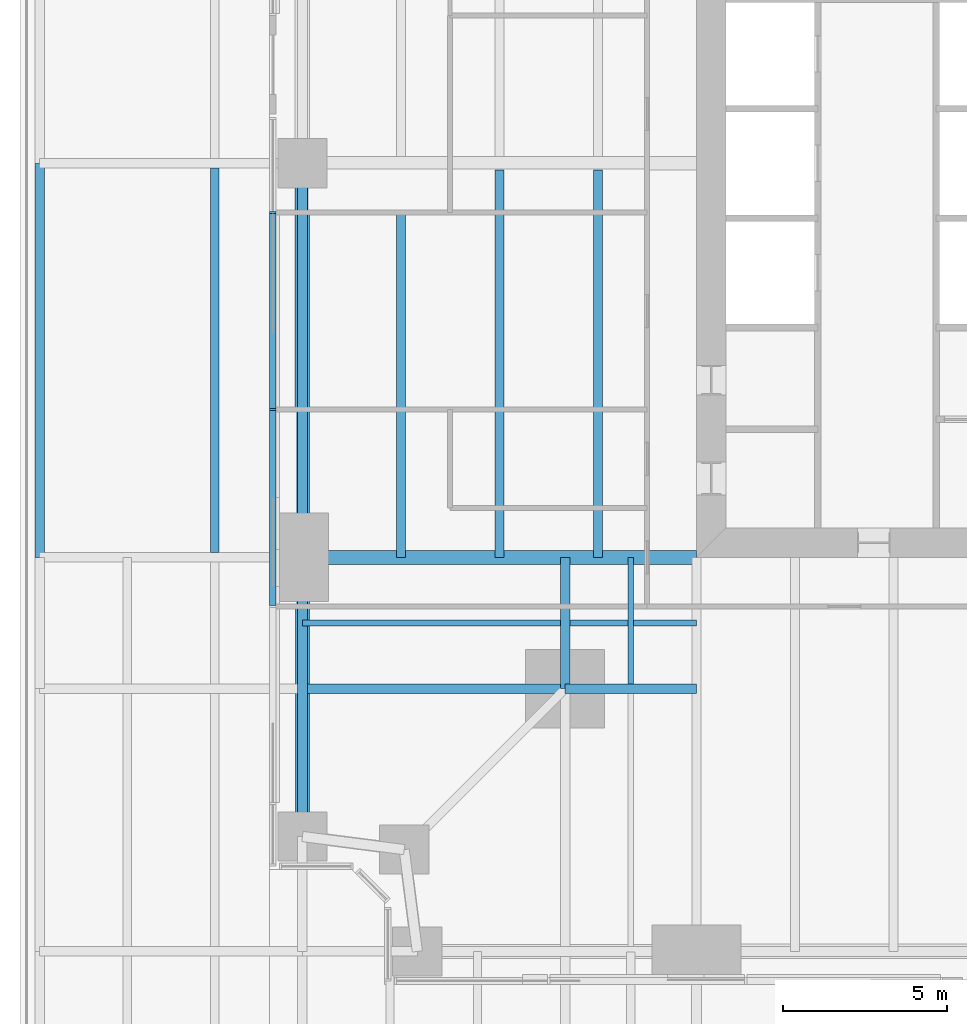
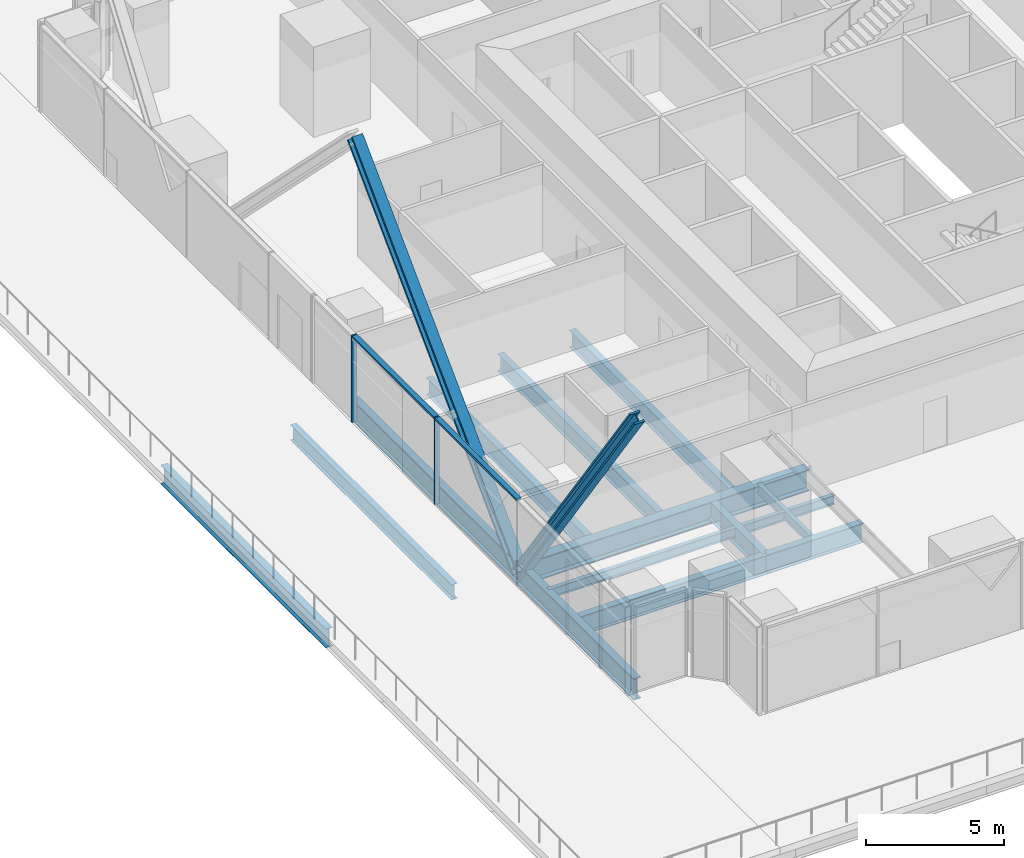
# One storey, part 3 of 21: 15 beams, 6 members, 1 element without a shape of its own.
"""IFC4 building model written with IfcOpenShell, lengths in metres."""

from ifc_helpers import new_model, si_unit, direction, frame, origin, origin_2d, place, context, subcontext, project, spatial, rectangle, i_section, extrude, material, material_profile, profile_set, type_object, element, aggregate, save


model = new_model("IFC4")

# Units and contexts
model_context = context("Model", 3, precision=1e-05, world=origin(), true_north=direction((0.0, 1.0)))
body_context = subcontext(model_context, "Body", "Model", "MODEL_VIEW")
ifc_project = project(units=[si_unit("LENGTHUNIT", "METRE"), si_unit("AREAUNIT", "SQUARE_METRE"), si_unit("VOLUMEUNIT", "CUBIC_METRE"), si_unit("PLANEANGLEUNIT", "RADIAN"), si_unit("MASSUNIT", "GRAM", prefix="KILO")], contexts=[model_context])

# Site, building, storey
site_placement = place(None, origin())
site = spatial("IfcSite", under=ifc_project, at=site_placement, CompositionType="ELEMENT")
building_placement = place(site_placement, origin())
building = spatial("IfcBuilding", under=site, at=building_placement, Name="Fenwick Lantern Interchange", CompositionType="ELEMENT")
storey_placement = place(building_placement, frame((0.0, 0.0, 31.0)))
storey = spatial("IfcBuildingStorey", under=building, at=storey_placement, Name="L06", CompositionType="ELEMENT", Elevation=31.0)

# Beams
ifc_material_1 = material(Name="Steel ASTM A992 Grade 50", Category="steel")
ifc_material_profile_1 = material_profile(ifc_material_1, i_section(OverallWidth=0.309814453125, OverallDepth=0.949951171875, WebThickness=0.0244140625, FlangeThickness=0.0439453125, at=origin_2d()), Name="W36X256")
ifc_profile_set_1 = profile_set([ifc_material_profile_1], Name="Steel ASTM A992 Grade 50")
beam_type_1 = type_object("IfcBeamType", Name="EDGE BEAM W36X256", PredefinedType="SPANDREL", material=ifc_profile_set_1)
beam_1_placement = place(storey_placement, frame((1.0, 25.0, -0.625), z_axis=(0.0, -1.0, 0.0), x_axis=(1.0, 0.0, 0.0)))
element("IfcBeam", 1, at=beam_1_placement, inside=storey, type_object=beam_type_1, Name="L06/FR/W/EB3", PredefinedType="SPANDREL", context=body_context, shape_type="SweptSolid", body=[
    extrude(i_section(OverallWidth=0.309814453125, OverallDepth=0.949951171875, WebThickness=0.0244140625, FlangeThickness=0.0439453125, at=origin_2d()), origin(), (0.0, 0.0, 1.0), 12.0),
])
beam_2_placement = place(storey_placement, frame((1.0, 13.0, -0.625), z_axis=(0.0, -1.0, 0.0), x_axis=(1.0, 0.0, 0.0)))
element("IfcBeam", 2, at=beam_2_placement, inside=storey, type_object=beam_type_1, Name="L06/FR/W/EB4", PredefinedType="SPANDREL", context=body_context, shape_type="SweptSolid", body=[
    extrude(i_section(OverallWidth=0.309814453125, OverallDepth=0.949951171875, WebThickness=0.0244140625, FlangeThickness=0.0439453125, at=origin_2d()), origin(), (0.0, 0.0, 1.0), 8.5),
])

# Members
ifc_material_profile_2 = material_profile(ifc_material_1, i_section(OverallWidth=0.424072265625, OverallDepth=0.47509765625, WebThickness=0.0478515625, FlangeThickness=0.0771484375, at=origin_2d()), Name="W14X426")
ifc_profile_set_2 = profile_set([ifc_material_profile_2], Name="Steel ASTM A992 Grade 50")
member_type_1 = type_object("IfcMemberType", Name="FACADE BRACE W14X426", PredefinedType="BRACE", material=ifc_profile_set_2)
member_1_placement = place(storey_placement, frame((1.0, 13.0, -0.625), z_axis=(0.0, -0.577407021852, 0.816456447776), x_axis=(1.0, 0.0, 0.0)))
element("IfcMember", 3, at=member_1_placement, inside=storey, type_object=member_type_1, Name="L06/FB/W/BE", PredefinedType="BRACE", context=body_context, shape_type="SweptSolid", body=[
    extrude(i_section(OverallWidth=0.424072265625, OverallDepth=0.47509765625, WebThickness=0.0478515625, FlangeThickness=0.0771484375, at=origin_2d()), origin(), (0.0, 0.0, 1.0), 14.720947265625),
])
ifc_material_profile_3 = material_profile(ifc_material_1, i_section(OverallWidth=0.44189453125, OverallDepth=0.53076171875, WebThickness=0.06591796875, FlangeThickness=0.105712890625, at=origin_2d()), Name="W14X605")
ifc_profile_set_3 = profile_set([ifc_material_profile_3], Name="Steel ASTM A992 Grade 50")
member_type_2 = type_object("IfcMemberType", Name="FACADE BRACE W14X605", PredefinedType="BRACE", material=ifc_profile_set_3)
member_2_placement = place(storey_placement, frame((1.0, 13.0, -0.625), z_axis=(0.0, 0.706545945103, 0.707667172799), x_axis=(-1.0, 0.0, 0.0)))
element("IfcMember", 4, at=member_2_placement, inside=storey, type_object=member_type_2, Name="L06/FB/W/B", PredefinedType="BRACE", context=body_context, shape_type="SweptSolid", body=[
    extrude(i_section(OverallWidth=0.44189453125, OverallDepth=0.53076171875, WebThickness=0.06591796875, FlangeThickness=0.105712890625, at=origin_2d()), origin(), (0.0, 0.0, 1.0), 16.984130859375),
])

# Beams
ifc_material_profile_4 = material_profile(ifc_material_1, i_section(OverallWidth=0.2666015625, OverallDepth=0.7568359375, WebThickness=0.013916015625, FlangeThickness=0.019287109375, at=origin_2d()), Name="W30X108")
ifc_profile_set_4 = profile_set([ifc_material_profile_4], Name="Steel ASTM A992 Grade 50")
beam_type_2 = type_object("IfcBeamType", Name="FLOOR BEAM W30X108", PredefinedType="BEAM", material=ifc_profile_set_4)
for number, where, z_axis, x_axis, name in (
    (5, (4.0, 24.79541015625, -0.528564453125), (0.0, -1.0, 0.0), (1.0, 0.0, 0.0), "L06/FR/W/B04"),
    (6, (7.0, 24.79541015625, -0.528564453125), (0.0, -1.0, 0.0), (1.0, 0.0, 0.0), "L06/FR/W/B05"),
    (7, (10.0, 24.79541015625, -0.528564453125), (0.0, -1.0, 0.0), (1.0, 0.0, 0.0), "L06/FR/W/B06"),
):
    element("IfcBeam", number, at=place(storey_placement, frame(where, z_axis=z_axis, x_axis=x_axis)), inside=storey, type_object=beam_type_2, Name=name, PredefinedType="BEAM", context=body_context, shape_type="SweptSolid", body=[
        extrude(i_section(OverallWidth=0.2666015625, OverallDepth=0.7568359375, WebThickness=0.013916015625, FlangeThickness=0.019287109375, at=origin_2d()), origin(), (0.0, 0.0, 1.0), 11.79541015625),
    ])
ifc_material_profile_5 = material_profile(ifc_material_1, i_section(OverallWidth=0.177734375, OverallDepth=0.406494140625, WebThickness=0.0078125, FlangeThickness=0.012939453125, at=origin_2d()), Name="W16X40")
ifc_profile_set_5 = profile_set([ifc_material_profile_5], Name="Steel ASTM A992 Grade 50")
beam_type_3 = type_object("IfcBeamType", Name="INFILL BEAM W16X40", PredefinedType="JOIST", material=ifc_profile_set_5)
beam_3_placement = place(storey_placement, frame((11.0, 9.14599609375, -0.353271484375), z_axis=(0.0, 1.0, 0.0), x_axis=(-1.0, 0.0, 0.0)))
element("IfcBeam", 8, at=beam_3_placement, inside=storey, type_object=beam_type_3, Name="L06/FR/S/J2", PredefinedType="JOIST", context=body_context, shape_type="SweptSolid", body=[
    extrude(i_section(OverallWidth=0.177734375, OverallDepth=0.406494140625, WebThickness=0.0078125, FlangeThickness=0.012939453125, at=origin_2d()), origin(), (0.0, 0.0, 1.0), 3.85400390625),
])
beam_4_placement = place(storey_placement, frame((1.0, 11.0, -0.353271484375), z_axis=(1.0, 0.0, 0.0), x_axis=(0.0, 1.0, 0.0)))
element("IfcBeam", 9, at=beam_4_placement, inside=storey, type_object=beam_type_3, Name="L06/FR/S/J3", PredefinedType="JOIST", context=body_context, shape_type="SweptSolid", body=[
    extrude(i_section(OverallWidth=0.177734375, OverallDepth=0.406494140625, WebThickness=0.0078125, FlangeThickness=0.012939453125, at=origin_2d()), origin(), (0.0, 0.0, 1.0), 7.85400390625),
])
beam_5_placement = place(storey_placement, frame((9.14599609375, 11.0, -0.353271484375), z_axis=(1.0, 0.0, 0.0), x_axis=(0.0, 1.0, 0.0)))
element("IfcBeam", 10, at=beam_5_placement, inside=storey, type_object=beam_type_3, Name="L06/FR/S/J4", PredefinedType="JOIST", context=body_context, shape_type="SweptSolid", body=[
    extrude(i_section(OverallWidth=0.177734375, OverallDepth=0.406494140625, WebThickness=0.0078125, FlangeThickness=0.012939453125, at=origin_2d()), origin(), (0.0, 0.0, 1.0), 1.76513671875),
])
beam_6_placement = place(storey_placement, frame((11.0888671875, 11.0, -0.353271484375), z_axis=(1.0, 0.0, 0.0), x_axis=(0.0, 1.0, 0.0)))
element("IfcBeam", 11, at=beam_6_placement, inside=storey, type_object=beam_type_3, Name="L06/FR/S/J5", PredefinedType="JOIST", context=body_context, shape_type="SweptSolid", body=[
    extrude(i_section(OverallWidth=0.177734375, OverallDepth=0.406494140625, WebThickness=0.0078125, FlangeThickness=0.012939453125, at=origin_2d()), origin(), (0.0, 0.0, 1.0), 1.9111328125),
])
ifc_material_profile_6 = material_profile(ifc_material_1, i_section(OverallWidth=0.2919921875, OverallDepth=0.845703125, WebThickness=0.015380859375, FlangeThickness=0.0244140625, at=origin_2d()), Name="W33X141")
ifc_profile_set_6 = profile_set([ifc_material_profile_6], Name="Steel ASTM A992 Grade 50")
beam_type_4 = type_object("IfcBeamType", Name="MEGA COLUMN BEAM W33X141", PredefinedType="BEAM", material=ifc_profile_set_6)
beam_7_placement = place(storey_placement, frame((9.0, 9.0, -0.572998046875), z_axis=(-1.0, 0.0, 0.0), x_axis=(0.0, -1.0, 0.0)))
element("IfcBeam", 12, at=beam_7_placement, inside=storey, type_object=beam_type_4, Name="L06/FR/S/MB2", PredefinedType="BEAM", context=body_context, shape_type="SweptSolid", body=[
    extrude(i_section(OverallWidth=0.2919921875, OverallDepth=0.845703125, WebThickness=0.015380859375, FlangeThickness=0.0244140625, at=origin_2d()), origin(), (0.0, 0.0, 1.0), 7.844970703125),
])
for number, where, z_axis, x_axis, name in (
    (13, (9.0, 9.0, -0.572998046875), (1.0, 0.0, 0.0), (0.0, 1.0, 0.0), "L06/FR/S/MB3"),
    (14, (9.0, 9.0, -0.572998046875), (0.0, 1.0, 0.0), (-1.0, 0.0, 0.0), "L06/FR/S/MB4"),
):
    element("IfcBeam", number, at=place(storey_placement, frame(where, z_axis=z_axis, x_axis=x_axis)), inside=storey, type_object=beam_type_4, Name=name, PredefinedType="BEAM", context=body_context, shape_type="SweptSolid", body=[
        extrude(i_section(OverallWidth=0.2919921875, OverallDepth=0.845703125, WebThickness=0.015380859375, FlangeThickness=0.0244140625, at=origin_2d()), origin(), (0.0, 0.0, 1.0), 4.0),
    ])
ifc_material_profile_7 = material_profile(ifc_material_1, i_section(OverallWidth=0.424072265625, OverallDepth=0.947509765625, WebThickness=0.02392578125, FlangeThickness=0.042724609375, at=origin_2d()), Name="W36X302")
ifc_profile_set_7 = profile_set([ifc_material_profile_7], Name="Steel ASTM A992 Grade 50")
beam_type_5 = type_object("IfcBeamType", Name="MOMENT-CONNECTED GIRDER W36X302", PredefinedType="BEAM", material=ifc_profile_set_7)
beam_8_placement = place(storey_placement, frame((1.0, 13.0, -0.623779296875), z_axis=(1.0, 0.0, 0.0), x_axis=(0.0, 1.0, 0.0)))
element("IfcBeam", 15, at=beam_8_placement, inside=storey, type_object=beam_type_5, Name="L06/FR/W/R03", PredefinedType="BEAM", context=body_context, shape_type="SweptSolid", body=[
    extrude(i_section(OverallWidth=0.424072265625, OverallDepth=0.947509765625, WebThickness=0.02392578125, FlangeThickness=0.042724609375, at=origin_2d()), origin(), (0.0, 0.0, 1.0), 12.0),
])
ifc_material_profile_8 = material_profile(ifc_material_1, i_section(OverallWidth=0.2919921875, OverallDepth=0.845703125, WebThickness=0.015380859375, FlangeThickness=0.0244140625, at=origin_2d()), Name="W33X141")
ifc_profile_set_8 = profile_set([ifc_material_profile_8], Name="Steel ASTM A992 Grade 50")
beam_type_6 = type_object("IfcBeamType", Name="MOMENT-CONNECTED PODIUM GIRDER W33X141", PredefinedType="BEAM", material=ifc_profile_set_8)
beam_9_placement = place(storey_placement, frame((-7.0, 13.0, -0.722900390625), z_axis=(0.0, 1.0, 0.0), x_axis=(-1.0, 0.0, 0.0)))
element("IfcBeam", 16, at=beam_9_placement, inside=storey, type_object=beam_type_6, Name="L06/PF/G046", PredefinedType="BEAM", context=body_context, shape_type="SweptSolid", body=[
    extrude(i_section(OverallWidth=0.2919921875, OverallDepth=0.845703125, WebThickness=0.015380859375, FlangeThickness=0.0244140625, at=origin_2d()), origin(), (0.0, 0.0, 1.0), 12.0),
])

# Curtain wall, members
ifc_material_2 = material(Name="Aluminium curtain wall frame", Category="aluminium")
curtain_wall_type = type_object("IfcCurtainWallType", Name="OFFICE CURTAIN WALL", PredefinedType="USERDEFINED", material=ifc_material_2)
curtain_wall_placement = place(storey_placement, origin())
curtain_wall = element("IfcCurtainWall", 17, at=curtain_wall_placement, inside=storey, type_object=curtain_wall_type, Name="Office curtain wall 13B", ObjectType="OFFICE CURTAIN WALL", PredefinedType="USERDEFINED")
ifc_material_3 = material(Name="Aluminium extrusion", Category="aluminium")
ifc_material_profile_9 = material_profile(ifc_material_3, rectangle(XDim=0.199951171875, YDim=0.06494140625, at=origin_2d()), Name="OFFICE CURTAIN WALL MULLION 65 X 200")
ifc_profile_set_9 = profile_set([ifc_material_profile_9], Name="Aluminium extrusion")
member_type_3 = type_object("IfcMemberType", Name="OFFICE CURTAIN WALL MULLION 65 X 200", PredefinedType="MULLION", material=ifc_profile_set_9)
member_3_placement = place(storey_placement, frame((0.10009765625, 23.5, 0.0), z_axis=(0.0, 0.0, 1.0), x_axis=(1.0, 0.0, 0.0)))
member_3 = element("IfcMember", 18, at=member_3_placement, type_object=member_type_3, Name="L06/CW/13B/M01", PredefinedType="MULLION", context=body_context, shape_type="SweptSolid", body=[
    extrude(rectangle(XDim=0.199951171875, YDim=0.06494140625, at=origin_2d()), origin(), (0.0, 0.0, 1.0), 3.85009765625),
])
member_4_placement = place(storey_placement, frame((0.10009765625, 17.5, 0.0), z_axis=(0.0, 0.0, 1.0), x_axis=(1.0, 0.0, 0.0)))
member_4 = element("IfcMember", 19, at=member_4_placement, type_object=member_type_3, Name="L06/CW/13B/M02", PredefinedType="MULLION", context=body_context, shape_type="SweptSolid", body=[
    extrude(rectangle(XDim=0.199951171875, YDim=0.06494140625, at=origin_2d()), origin(), (0.0, 0.0, 1.0), 3.85009765625),
])
ifc_material_profile_10 = material_profile(ifc_material_3, rectangle(XDim=0.199951171875, YDim=0.10009765625, at=origin_2d()), Name="OFFICE CURTAIN WALL TRANSOM 100 X 200")
ifc_profile_set_10 = profile_set([ifc_material_profile_10], Name="Aluminium extrusion")
member_type_4 = type_object("IfcMemberType", Name="OFFICE CURTAIN WALL TRANSOM 100 X 200", PredefinedType="MULLION", material=ifc_profile_set_10)
member_5_placement = place(storey_placement, frame((0.10009765625, 23.467529296875, 3.800048828125), z_axis=(0.0, -1.0, 0.0), x_axis=(1.0, 0.0, 0.0)))
member_5 = element("IfcMember", 20, at=member_5_placement, type_object=member_type_4, Name="L06/CW/13B/T01", PredefinedType="MULLION", context=body_context, shape_type="SweptSolid", body=[
    extrude(rectangle(XDim=0.199951171875, YDim=0.10009765625, at=origin_2d()), origin(), (0.0, 0.0, 1.0), 5.93505859375),
])
member_6_placement = place(storey_placement, frame((0.10009765625, 17.467529296875, 3.800048828125), z_axis=(0.0, -1.0, 0.0), x_axis=(1.0, 0.0, 0.0)))
member_6 = element("IfcMember", 21, at=member_6_placement, type_object=member_type_4, Name="L06/CW/13B/T02", PredefinedType="MULLION", context=body_context, shape_type="SweptSolid", body=[
    extrude(rectangle(XDim=0.199951171875, YDim=0.10009765625, at=origin_2d()), origin(), (0.0, 0.0, 1.0), 5.93505859375),
])
aggregate(curtain_wall, [member_3, member_4, member_5, member_6])

# Beam
ifc_material_profile_11 = material_profile(ifc_material_1, i_section(OverallWidth=0.25390625, OverallDepth=0.683349609375, WebThickness=0.012451171875, FlangeThickness=0.01904296875, at=origin_2d()), Name="W27X94")
ifc_profile_set_11 = profile_set([ifc_material_profile_11], Name="Steel ASTM A992 Grade 50")
beam_type_7 = type_object("IfcBeamType", Name="PODIUM BEAM W27X94", PredefinedType="JOIST", material=ifc_profile_set_11)
beam_10_placement = place(storey_placement, frame((-1.666748046875, 13.14599609375, -0.6416015625), z_axis=(0.0, 1.0, 0.0), x_axis=(-1.0, 0.0, 0.0)))
element("IfcBeam", 22, at=beam_10_placement, inside=storey, type_object=beam_type_7, Name="L06/PF/J092", PredefinedType="JOIST", context=body_context, shape_type="SweptSolid", body=[
    extrude(i_section(OverallWidth=0.25390625, OverallDepth=0.683349609375, WebThickness=0.012451171875, FlangeThickness=0.01904296875, at=origin_2d()), origin(), (0.0, 0.0, 1.0), 11.7080078125),
])

save(model, "model.ifc")
